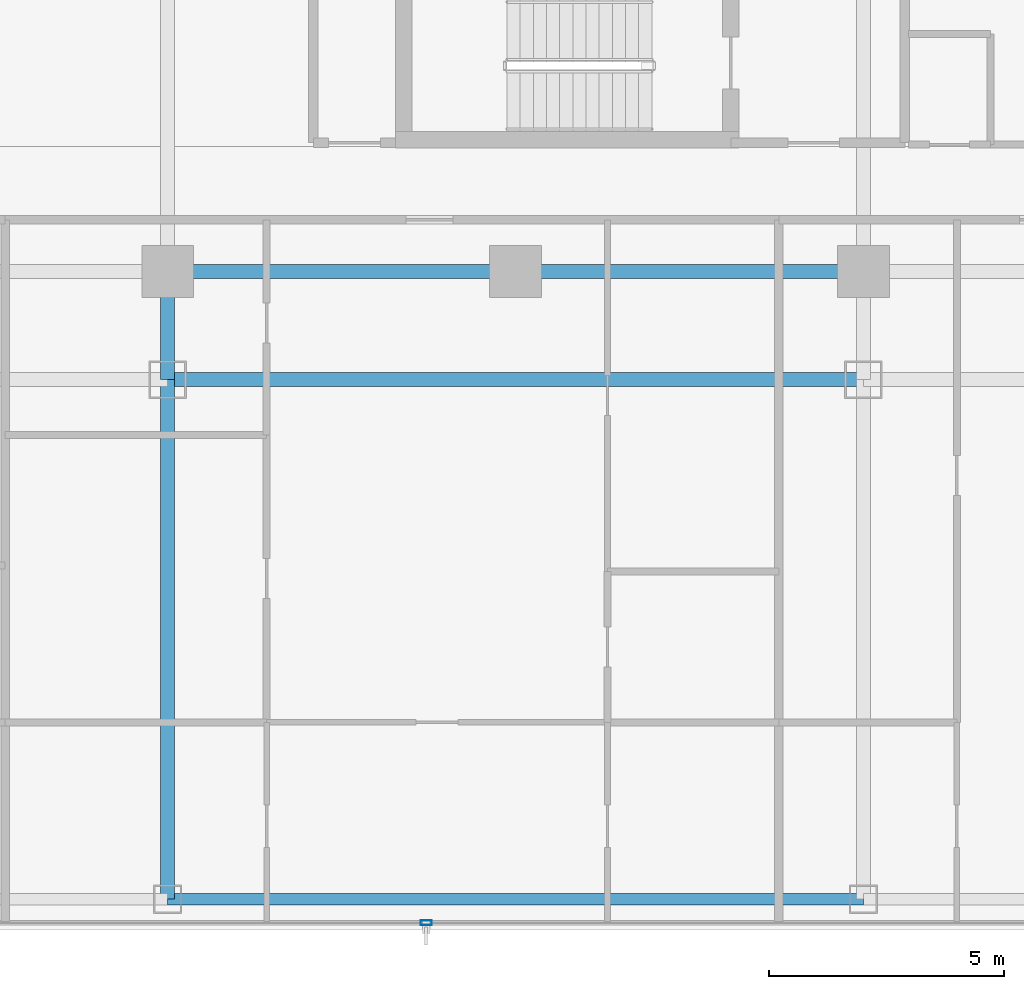
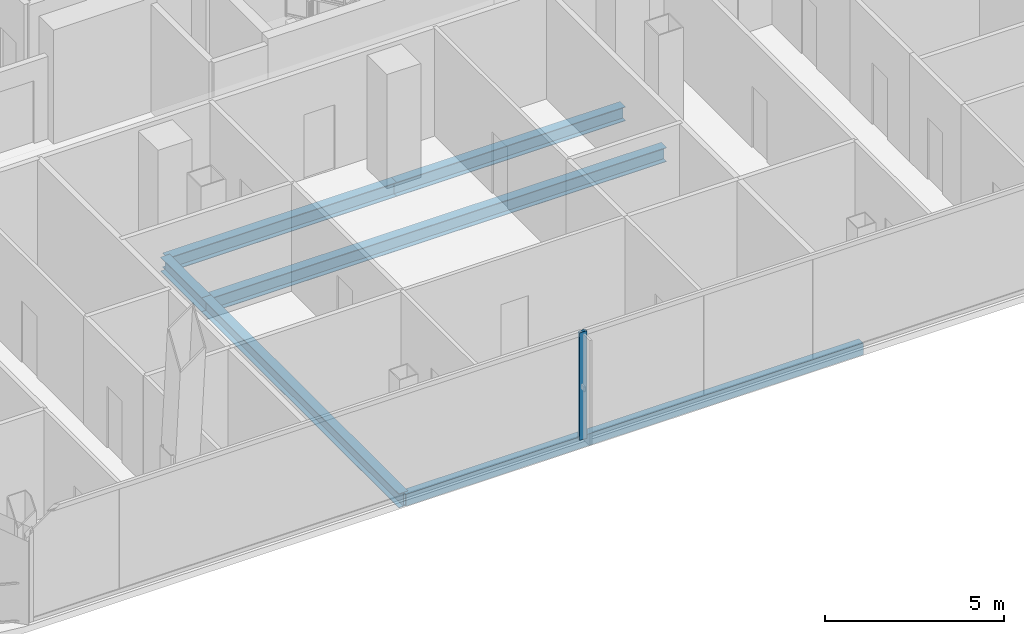
# One storey, part 4 of 27: 6 beams, 1 member, 1 element without a shape of its own.
"""IFC4 building model written with IfcOpenShell, lengths in metres."""

from ifc_helpers import new_model, si_unit, direction, frame, origin, origin_2d, place, context, subcontext, project, spatial, hollow_rectangle, i_section, extrude, material, layer, layer_set, material_profile, profile_set, type_object, element, aggregate, save


model = new_model("IFC4")

# Units and contexts
model_context = context("Model", 3, precision=1e-05, world=origin(), true_north=direction((0.0, 1.0)))
body_context = subcontext(model_context, "Body", "Model", "MODEL_VIEW")
ifc_project = project(units=[si_unit("LENGTHUNIT", "METRE"), si_unit("AREAUNIT", "SQUARE_METRE"), si_unit("VOLUMEUNIT", "CUBIC_METRE"), si_unit("PLANEANGLEUNIT", "RADIAN"), si_unit("MASSUNIT", "GRAM", prefix="KILO")], contexts=[model_context])

# Site, building, storey
site_placement = place(None, origin())
site = spatial("IfcSite", under=ifc_project, at=site_placement, CompositionType="ELEMENT")
building_placement = place(site_placement, origin())
building = spatial("IfcBuilding", under=site, at=building_placement, Name="Khorvyn Point Tower", CompositionType="ELEMENT")
storey_placement = place(building_placement, frame((0.0, 0.0, 203.10009765625)))
storey = spatial("IfcBuildingStorey", under=building, at=storey_placement, Name="L50", CompositionType="ELEMENT", Elevation=203.10009765625)

# Curtain wall, member
ifc_material_1 = material(Name="Anodised aluminium 6063-T6 and laminated Low-E glass", Category="aluminium")
ifc_layer = layer(ifc_material_1, 0.18994140625)
ifc_layer_set = layer_set([ifc_layer], Name="Stick-Built Acoustic Curtain Wall CW-SYS-03")
curtain_wall_type = type_object("IfcCurtainWallType", Name="Stick-Built Acoustic Curtain Wall CW-SYS-03", PredefinedType="NOTDEFINED", material=ifc_layer_set)
curtain_wall_placement = place(storey_placement, origin())
curtain_wall = element("IfcCurtainWall", 1, at=curtain_wall_placement, inside=storey, type_object=curtain_wall_type, Name="Curtain Wall", PredefinedType="NOTDEFINED")
ifc_material_2 = material(Name="Anodised aluminium 6063-T6", Category="aluminium")
ifc_material_profile_1 = material_profile(ifc_material_2, hollow_rectangle(XDim=0.10009765625, YDim=0.239990234375, WallThickness=0.0048828125, at=origin_2d()))
ifc_profile_set_1 = profile_set([ifc_material_profile_1], Name="Anodised aluminium 6063-T6 ALU-MUL-100x240")
member_type = type_object("IfcMemberType", Name="Anodised Aluminium 6063-T6 Mullion ALU-MUL-100x240", PredefinedType="MULLION", material=ifc_profile_set_1)
member_placement = place(storey_placement, frame((-1.89990234375, -28.64990234375, 0.0), z_axis=(0.0, 0.0, 1.0), x_axis=(0.0, -1.0, 0.0)))
member = element("IfcMember", 2, at=member_placement, type_object=member_type, Name="Transom", PredefinedType="MULLION", context=body_context, shape_type="SweptSolid", body=[
    extrude(hollow_rectangle(XDim=0.10009765625, YDim=0.239990234375, WallThickness=0.0048828125, at=origin_2d()), origin(), (0.0, 0.0, 1.0), 3.679931640625),
])
aggregate(curtain_wall, [member])

# Beams
ifc_material_3 = material(Name="Steel S355", Category="steel")
ifc_material_profile_2 = material_profile(ifc_material_3, i_section(OverallWidth=0.300048828125, OverallDepth=0.488037109375, WebThickness=0.010986328125, FlangeThickness=0.01806640625, at=origin_2d()))
ifc_profile_set_2 = profile_set([ifc_material_profile_2], Name="Steel S355 H488x300x11x18")
beam_type_1 = type_object("IfcBeamType", Name="Steel S355 Spandrel H488x300x11x18", PredefinedType="SPANDREL", material=ifc_profile_set_2)
for number, where, z_axis, x_axis, name in (
    (3, (-7.39990234375, -14.800048828125, -0.464111328125), (1.0, 0.0, 0.0), (0.0, 1.0, 0.0), "Beam"),
    (4, (0.0, -14.800048828125, -0.464111328125), (1.0, 0.0, 0.0), (0.0, 1.0, 0.0), "Beam"),
):
    element("IfcBeam", number, at=place(storey_placement, frame(where, z_axis=z_axis, x_axis=x_axis)), inside=storey, type_object=beam_type_1, Name=name, PredefinedType="SPANDREL", context=body_context, shape_type="SweptSolid", body=[
        extrude(i_section(OverallWidth=0.300048828125, OverallDepth=0.488037109375, WebThickness=0.010986328125, FlangeThickness=0.01806640625, at=origin_2d()), origin(), (0.0, 0.0, 1.0), 7.39990234375),
    ])
beam_1_placement = place(storey_placement, frame((-7.39990234375, -17.10009765625, -0.464111328125), z_axis=(1.0, 0.0, 0.0), x_axis=(0.0, 1.0, 0.0)))
element("IfcBeam", 5, at=beam_1_placement, inside=storey, type_object=beam_type_1, Name="Beam", PredefinedType="SPANDREL", context=body_context, shape_type="SweptSolid", body=[
    extrude(i_section(OverallWidth=0.300048828125, OverallDepth=0.488037109375, WebThickness=0.010986328125, FlangeThickness=0.01806640625, at=origin_2d()), origin(), (0.0, 0.0, 1.0), 14.7998046875),
])
beam_2_placement = place(storey_placement, frame((-7.39990234375, -28.14990234375, -0.464111328125), z_axis=(0.0, 1.0, 0.0), x_axis=(-1.0, 0.0, 0.0)))
element("IfcBeam", 6, at=beam_2_placement, inside=storey, type_object=beam_type_1, Name="Beam", PredefinedType="SPANDREL", context=body_context, shape_type="SweptSolid", body=[
    extrude(i_section(OverallWidth=0.300048828125, OverallDepth=0.488037109375, WebThickness=0.010986328125, FlangeThickness=0.01806640625, at=origin_2d()), origin(), (0.0, 0.0, 1.0), 11.0498046875),
])
beam_3_placement = place(storey_placement, frame((-7.39990234375, -17.10009765625, -0.464111328125), z_axis=(0.0, 1.0, 0.0), x_axis=(-1.0, 0.0, 0.0)))
element("IfcBeam", 7, at=beam_3_placement, inside=storey, type_object=beam_type_1, Name="Beam", PredefinedType="SPANDREL", context=body_context, shape_type="SweptSolid", body=[
    extrude(i_section(OverallWidth=0.300048828125, OverallDepth=0.488037109375, WebThickness=0.010986328125, FlangeThickness=0.01806640625, at=origin_2d()), origin(), (0.0, 0.0, 1.0), 2.300048828125),
])
ifc_material_profile_3 = material_profile(ifc_material_3, hollow_rectangle(XDim=0.25, YDim=0.39990234375, WallThickness=0.01611328125, at=origin_2d()))
ifc_profile_set_3 = profile_set([ifc_material_profile_3], Name="Steel S355 RHS400x250x16")
beam_type_2 = type_object("IfcBeamType", Name="Steel S355 Spandrel RHS400x250x16", PredefinedType="SPANDREL", material=ifc_profile_set_3)
beam_4_placement = place(storey_placement, frame((-7.39990234375, -28.14990234375, -0.420166015625), z_axis=(1.0, 0.0, 0.0), x_axis=(0.0, 1.0, 0.0)))
element("IfcBeam", 8, at=beam_4_placement, inside=storey, type_object=beam_type_2, Name="Beam", PredefinedType="SPANDREL", context=body_context, shape_type="SweptSolid", body=[
    extrude(hollow_rectangle(XDim=0.25, YDim=0.39990234375, WallThickness=0.01611328125, at=origin_2d()), origin(), (0.0, 0.0, 1.0), 14.7998046875),
])

save(model, "model.ifc")
